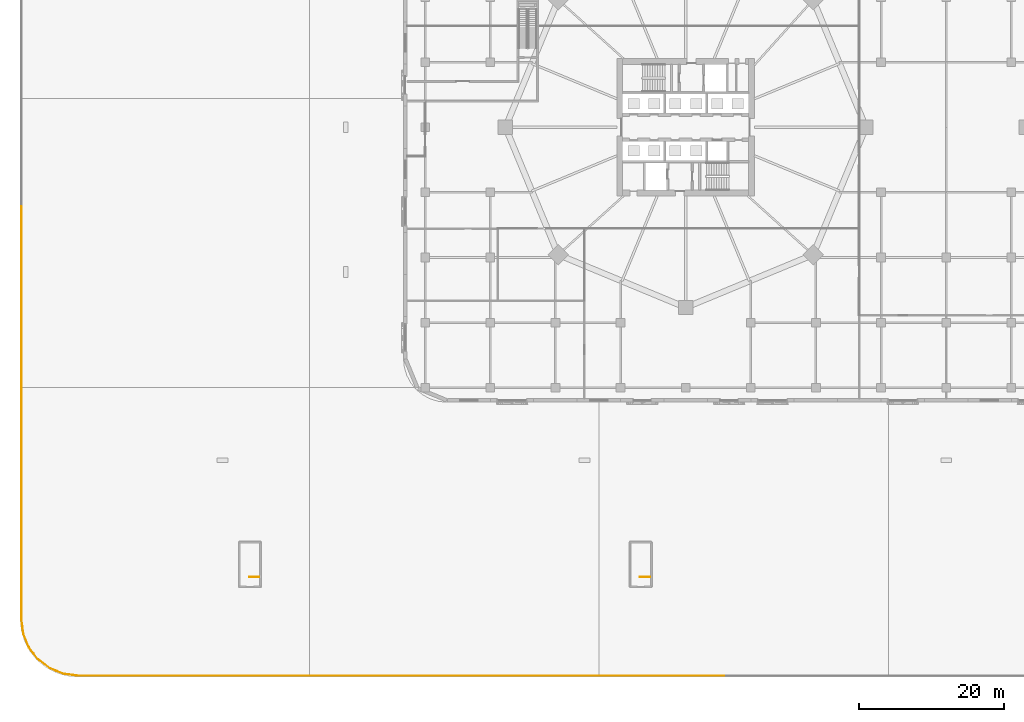
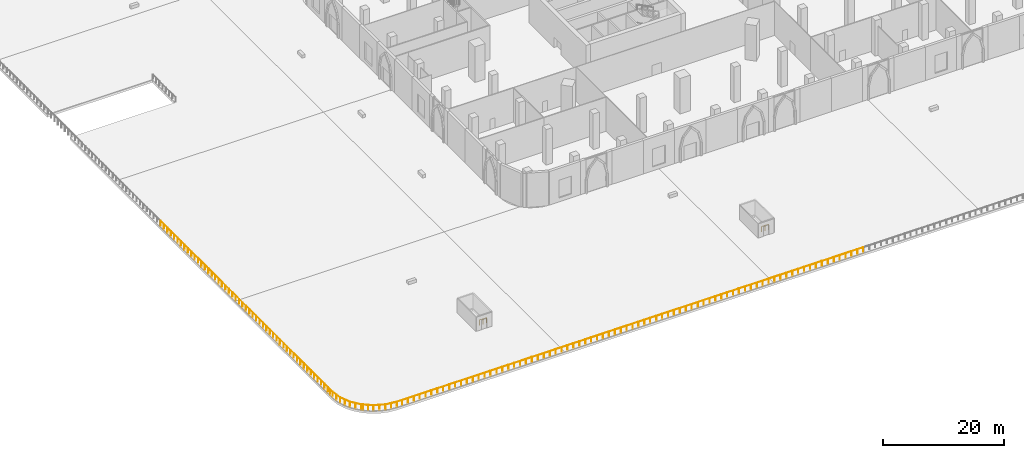
# One storey, part 36 of 48: 22 railings.
"""IFC4 building model written with IfcOpenShell, lengths in metres."""

from ifc_helpers import new_model, si_unit, direction, frame, origin, origin_2d, place, context, subcontext, project, spatial, circle, extrude, material, type_object, element, save


model = new_model("IFC4")

# Units and contexts
model_context = context("Model", 3, precision=1e-05, world=origin(), true_north=direction((0.0, 1.0)))
body_context = subcontext(model_context, "Body", "Model", "MODEL_VIEW")
ifc_project = project(units=[si_unit("LENGTHUNIT", "METRE"), si_unit("AREAUNIT", "SQUARE_METRE"), si_unit("VOLUMEUNIT", "CUBIC_METRE"), si_unit("PLANEANGLEUNIT", "RADIAN"), si_unit("MASSUNIT", "GRAM", prefix="KILO")], contexts=[model_context])

# Site, building, storey
site_placement = place(None, origin())
site = spatial("IfcSite", under=ifc_project, at=site_placement, CompositionType="ELEMENT")
building_placement = place(site_placement, origin())
building = spatial("IfcBuilding", under=site, at=building_placement, Name="Ogive Gate Towers", CompositionType="ELEMENT")
storey_placement = place(building_placement, origin())
storey = spatial("IfcBuildingStorey", under=building, at=storey_placement, Name="L00", CompositionType="ELEMENT", Elevation=0.0)

# Railings
ifc_material_1 = material(Name="Painted steel", Category="steel")
railing_type_1 = type_object("IfcRailingType", Name="Car park stair guard 1100", PredefinedType="GUARDRAIL", material=ifc_material_1)
for number, where, name in (
    (1, (-94.949951171875, -62.14990234375, 0.0), "L00 CS5 top well guard 1"),
    (2, (-40.949951171875, -62.14990234375, 0.0), "L00 CS6 top well guard 1"),
):
    element("IfcRailing", number, at=place(storey_placement, frame(where)), inside=storey, type_object=railing_type_1, Name=name, PredefinedType="GUARDRAIL", context=body_context, shape_type="SweptSolid", body=[
        extrude(circle(Radius=0.02392578125, at=origin_2d()), frame((0.0, 0.0, 1.076171875), z_axis=(-1.0, 0.0, 0.0), x_axis=(0.0, -1.0, 0.0)), (0.0, 0.0, 1.0), 1.35009765625),
        extrude(circle(Radius=0.02099609375, at=origin_2d()), origin(), (0.0, 0.0, 1.0), 1.052001953125),
        extrude(circle(Radius=0.02099609375, at=origin_2d()), frame((-0.675048828125, 0.0, 0.0)), (0.0, 0.0, 1.0), 1.052001953125),
        extrude(circle(Radius=0.02099609375, at=origin_2d()), frame((-1.35009765625, 0.0, 0.0)), (0.0, 0.0, 1.0), 1.052001953125),
    ])
ifc_material_2 = material(Name="Stainless steel", Category="steel")
railing_type_2 = type_object("IfcRailingType", Name="Guard 1100", PredefinedType="GUARDRAIL", material=ifc_material_2)
for number, where, name in (
    (3, (-127.800048828125, -10.970703125, 0.0), "Garden deck guard"),
    (4, (-127.800048828125, -18.900146484375, 0.0), "Garden deck guard"),
    (5, (-127.800048828125, -26.82958984375, 0.0), "Garden deck guard"),
    (6, (-127.800048828125, -34.759033203125, 0.0), "Garden deck guard"),
    (7, (-127.800048828125, -42.6884765625, 0.0), "Garden deck guard"),
    (8, (-127.800048828125, -50.617919921875, 0.0), "Garden deck guard"),
    (9, (-127.800048828125, -58.547119140625, 0.0), "Garden deck guard"),
):
    element("IfcRailing", number, at=place(storey_placement, frame(where)), inside=storey, type_object=railing_type_2, Name=name, PredefinedType="GUARDRAIL", context=body_context, shape_type="SweptSolid", body=[
        extrude(circle(Radius=0.02392578125, at=origin_2d()), frame((0.0, 0.0, 1.076171875), z_axis=(0.0, -1.0, 0.0), x_axis=(1.0, 0.0, 0.0)), (0.0, 0.0, 1.0), 7.87939453125),
        extrude(circle(Radius=0.02099609375, at=origin_2d()), origin(), (0.0, 0.0, 1.0), 1.052001953125),
        extrude(circle(Radius=0.02099609375, at=origin_2d()), frame((0.0, -1.125732421875, 0.0)), (0.0, 0.0, 1.0), 1.052001953125),
        extrude(circle(Radius=0.02099609375, at=origin_2d()), frame((0.0, -2.251220703125, 0.0)), (0.0, 0.0, 1.0), 1.052001953125),
        extrude(circle(Radius=0.02099609375, at=origin_2d()), frame((0.0, -3.376953125, 0.0)), (0.0, 0.0, 1.0), 1.052001953125),
        extrude(circle(Radius=0.02099609375, at=origin_2d()), frame((0.0, -4.50244140625, 0.0)), (0.0, 0.0, 1.0), 1.052001953125),
        extrude(circle(Radius=0.02099609375, at=origin_2d()), frame((0.0, -5.628173828125, 0.0)), (0.0, 0.0, 1.0), 1.052001953125),
        extrude(circle(Radius=0.02099609375, at=origin_2d()), frame((0.0, -6.753662109375, 0.0)), (0.0, 0.0, 1.0), 1.052001953125),
        extrude(circle(Radius=0.02099609375, at=origin_2d()), frame((0.0, -7.87939453125, 0.0)), (0.0, 0.0, 1.0), 1.052001953125),
    ])
railing_1_placement = place(storey_placement, frame((-127.800048828125, -66.4765625, 0.0)))
element("IfcRailing", 10, at=railing_1_placement, inside=storey, type_object=railing_type_2, Name="Garden deck guard", PredefinedType="GUARDRAIL", context=body_context, shape_type="SweptSolid", body=[
    extrude(circle(Radius=0.02392578125, at=origin_2d()), frame((0.0, 0.0, 1.076171875), z_axis=(0.0, -1.0, 0.0), x_axis=(1.0, 0.0, 0.0)), (0.0, 0.0, 1.0), 1.5234375),
    extrude(circle(Radius=0.02392578125, at=origin_2d()), frame((0.0, -1.5234375, 1.076171875), z_axis=(0.130569268018, -0.991439189385, 0.0), x_axis=(0.991439189385, 0.130569268018, 0.0)), (0.0, 0.0, 1.0), 2.0361328125),
    extrude(circle(Radius=0.02392578125, at=origin_2d()), frame((0.265869140625, -3.542236328125, 1.076171875), z_axis=(0.382733017832, -0.923858991979, 0.0), x_axis=(0.923858991979, 0.382733017832, 0.0)), (0.0, 0.0, 1.0), 2.0361328125),
    extrude(circle(Radius=0.02392578125, at=origin_2d()), frame((1.045166015625, -5.42333984375, 1.076171875), z_axis=(0.608731039936, -0.793376657722, 0.0), x_axis=(0.793376657722, 0.608731039936, 0.0)), (0.0, 0.0, 1.0), 2.0361328125),
    extrude(circle(Radius=0.02392578125, at=origin_2d()), frame((2.28466796875, -7.038818359375, 1.076171875), z_axis=(0.793320408892, -0.60880434364, 0.0), x_axis=(0.60880434364, 0.793320408892, 0.0)), (0.0, 0.0, 1.0), 0.247314453125),
    extrude(circle(Radius=0.02099609375, at=origin_2d()), origin(), (0.0, 0.0, 1.0), 1.052001953125),
    extrude(circle(Radius=0.02099609375, at=origin_2d()), frame((0.0, -0.76171875, 0.0)), (0.0, 0.0, 1.0), 1.052001953125),
    extrude(circle(Radius=0.02099609375, at=origin_2d()), frame((0.0, -1.5234375, 0.0)), (0.0, 0.0, 1.0), 1.052001953125),
    extrude(circle(Radius=0.02099609375, at=origin_2d()), frame((0.1328125, -2.53271484375, 0.0)), (0.0, 0.0, 1.0), 1.052001953125),
    extrude(circle(Radius=0.02099609375, at=origin_2d()), frame((0.265869140625, -3.542236328125, 0.0)), (0.0, 0.0, 1.0), 1.052001953125),
    extrude(circle(Radius=0.02099609375, at=origin_2d()), frame((0.655517578125, -4.48291015625, 0.0)), (0.0, 0.0, 1.0), 1.052001953125),
    extrude(circle(Radius=0.02099609375, at=origin_2d()), frame((1.045166015625, -5.42333984375, 0.0)), (0.0, 0.0, 1.0), 1.052001953125),
    extrude(circle(Radius=0.02099609375, at=origin_2d()), frame((1.6650390625, -6.23095703125, 0.0)), (0.0, 0.0, 1.0), 1.052001953125),
    extrude(circle(Radius=0.02099609375, at=origin_2d()), frame((2.28466796875, -7.038818359375, 0.0)), (0.0, 0.0, 1.0), 1.052001953125),
    extrude(circle(Radius=0.02099609375, at=origin_2d()), frame((2.48095703125, -7.189453125, 0.0)), (0.0, 0.0, 1.0), 1.052001953125),
])
railing_2_placement = place(storey_placement, frame((-125.279541015625, -73.6962890625, 0.0)))
element("IfcRailing", 11, at=railing_2_placement, inside=storey, type_object=railing_type_2, Name="Garden deck guard", PredefinedType="GUARDRAIL", context=body_context, shape_type="SweptSolid", body=[
    extrude(circle(Radius=0.02392578125, at=origin_2d()), frame((0.0, 0.0, 1.076171875), z_axis=(0.793364515024, -0.608746865536, 0.0), x_axis=(0.608746865536, 0.793364515024, 0.0)), (0.0, 0.0, 1.0), 1.739013671875),
    extrude(circle(Radius=0.02392578125, at=origin_2d()), frame((1.379638671875, -1.05859375, 1.076171875), z_axis=(0.923858991979, -0.382733017832, 0.0), x_axis=(0.382733017832, 0.923858991979, 0.0)), (0.0, 0.0, 1.0), 2.0361328125),
    extrude(circle(Radius=0.02392578125, at=origin_2d()), frame((3.2607421875, -1.837890625, 1.076171875), z_axis=(0.991439189385, -0.130569268018, 0.0), x_axis=(0.130569268018, 0.991439189385, 0.0)), (0.0, 0.0, 1.0), 2.0361328125),
    extrude(circle(Radius=0.02392578125, at=origin_2d()), frame((5.279541015625, -2.103759765625, 1.076171875), z_axis=(1.0, 0.0, 0.0), x_axis=(0.0, 1.0, 0.0)), (0.0, 0.0, 1.0), 2.068115234375),
    extrude(circle(Radius=0.02099609375, at=origin_2d()), origin(), (0.0, 0.0, 1.0), 1.052001953125),
    extrude(circle(Radius=0.02099609375, at=origin_2d()), frame((0.68994140625, -0.529296875, 0.0)), (0.0, 0.0, 1.0), 1.052001953125),
    extrude(circle(Radius=0.02099609375, at=origin_2d()), frame((1.379638671875, -1.05859375, 0.0)), (0.0, 0.0, 1.0), 1.052001953125),
    extrude(circle(Radius=0.02099609375, at=origin_2d()), frame((2.3203125, -1.4482421875, 0.0)), (0.0, 0.0, 1.0), 1.052001953125),
    extrude(circle(Radius=0.02099609375, at=origin_2d()), frame((3.2607421875, -1.837890625, 0.0)), (0.0, 0.0, 1.0), 1.052001953125),
    extrude(circle(Radius=0.02099609375, at=origin_2d()), frame((4.27001953125, -1.970703125, 0.0)), (0.0, 0.0, 1.0), 1.052001953125),
    extrude(circle(Radius=0.02099609375, at=origin_2d()), frame((5.279541015625, -2.103759765625, 0.0)), (0.0, 0.0, 1.0), 1.052001953125),
    extrude(circle(Radius=0.02099609375, at=origin_2d()), frame((6.3134765625, -2.103759765625, 0.0)), (0.0, 0.0, 1.0), 1.052001953125),
    extrude(circle(Radius=0.02099609375, at=origin_2d()), frame((7.34765625, -2.103759765625, 0.0)), (0.0, 0.0, 1.0), 1.052001953125),
])
for number, where, name in (
    (12, (-117.8818359375, -75.800048828125, 0.0), "Garden deck guard"),
    (13, (-109.952392578125, -75.800048828125, 0.0), "Garden deck guard"),
    (14, (-102.023193359375, -75.800048828125, 0.0), "Garden deck guard"),
    (15, (-94.09375, -75.800048828125, 0.0), "Garden deck guard"),
    (16, (-86.164306640625, -75.800048828125, 0.0), "Garden deck guard"),
    (17, (-78.23486328125, -75.800048828125, 0.0), "Garden deck guard"),
    (18, (-70.305419921875, -75.800048828125, 0.0), "Garden deck guard"),
):
    element("IfcRailing", number, at=place(storey_placement, frame(where)), inside=storey, type_object=railing_type_2, Name=name, PredefinedType="GUARDRAIL", context=body_context, shape_type="SweptSolid", body=[
        extrude(circle(Radius=0.02392578125, at=origin_2d()), frame((0.0, 0.0, 1.076171875), z_axis=(1.0, 0.0, 0.0), x_axis=(0.0, 1.0, 0.0)), (0.0, 0.0, 1.0), 7.87939453125),
        extrude(circle(Radius=0.02099609375, at=origin_2d()), origin(), (0.0, 0.0, 1.0), 1.052001953125),
        extrude(circle(Radius=0.02099609375, at=origin_2d()), frame((1.125732421875, 0.0, 0.0)), (0.0, 0.0, 1.0), 1.052001953125),
        extrude(circle(Radius=0.02099609375, at=origin_2d()), frame((2.251220703125, 0.0, 0.0)), (0.0, 0.0, 1.0), 1.052001953125),
        extrude(circle(Radius=0.02099609375, at=origin_2d()), frame((3.376953125, 0.0, 0.0)), (0.0, 0.0, 1.0), 1.052001953125),
        extrude(circle(Radius=0.02099609375, at=origin_2d()), frame((4.50244140625, 0.0, 0.0)), (0.0, 0.0, 1.0), 1.052001953125),
        extrude(circle(Radius=0.02099609375, at=origin_2d()), frame((5.628173828125, 0.0, 0.0)), (0.0, 0.0, 1.0), 1.052001953125),
        extrude(circle(Radius=0.02099609375, at=origin_2d()), frame((6.753662109375, 0.0, 0.0)), (0.0, 0.0, 1.0), 1.052001953125),
        extrude(circle(Radius=0.02099609375, at=origin_2d()), frame((7.87939453125, 0.0, 0.0)), (0.0, 0.0, 1.0), 1.052001953125),
    ])
railing_3_placement = place(storey_placement, frame((-62.376220703125, -75.800048828125, 0.0)))
element("IfcRailing", 19, at=railing_3_placement, inside=storey, type_object=railing_type_2, Name="Garden deck guard", PredefinedType="GUARDRAIL", context=body_context, shape_type="SweptSolid", body=[
    extrude(circle(Radius=0.02392578125, at=origin_2d()), frame((0.0, 0.0, 1.076171875), z_axis=(1.0, 0.0, 0.0), x_axis=(0.0, 1.0, 0.0)), (0.0, 0.0, 1.0), 7.879638671875),
    extrude(circle(Radius=0.02099609375, at=origin_2d()), origin(), (0.0, 0.0, 1.0), 1.052001953125),
    extrude(circle(Radius=0.02099609375, at=origin_2d()), frame((1.125732421875, 0.0, 0.0)), (0.0, 0.0, 1.0), 1.052001953125),
    extrude(circle(Radius=0.02099609375, at=origin_2d()), frame((2.251220703125, 0.0, 0.0)), (0.0, 0.0, 1.0), 1.052001953125),
    extrude(circle(Radius=0.02099609375, at=origin_2d()), frame((3.376953125, 0.0, 0.0)), (0.0, 0.0, 1.0), 1.052001953125),
    extrude(circle(Radius=0.02099609375, at=origin_2d()), frame((4.502685546875, 0.0, 0.0)), (0.0, 0.0, 1.0), 1.052001953125),
    extrude(circle(Radius=0.02099609375, at=origin_2d()), frame((5.62841796875, 0.0, 0.0)), (0.0, 0.0, 1.0), 1.052001953125),
    extrude(circle(Radius=0.02099609375, at=origin_2d()), frame((6.75390625, 0.0, 0.0)), (0.0, 0.0, 1.0), 1.052001953125),
    extrude(circle(Radius=0.02099609375, at=origin_2d()), frame((7.879638671875, 0.0, 0.0)), (0.0, 0.0, 1.0), 1.052001953125),
])
for number, where, name in (
    (20, (-54.44677734375, -75.800048828125, 0.0), "Garden deck guard"),
    (21, (-46.517333984375, -75.800048828125, 0.0), "Garden deck guard"),
    (22, (-38.587890625, -75.800048828125, 0.0), "Garden deck guard"),
):
    element("IfcRailing", number, at=place(storey_placement, frame(where)), inside=storey, type_object=railing_type_2, Name=name, PredefinedType="GUARDRAIL", context=body_context, shape_type="SweptSolid", body=[
        extrude(circle(Radius=0.02392578125, at=origin_2d()), frame((0.0, 0.0, 1.076171875), z_axis=(1.0, 0.0, 0.0), x_axis=(0.0, 1.0, 0.0)), (0.0, 0.0, 1.0), 7.87939453125),
        extrude(circle(Radius=0.02099609375, at=origin_2d()), origin(), (0.0, 0.0, 1.0), 1.052001953125),
        extrude(circle(Radius=0.02099609375, at=origin_2d()), frame((1.125732421875, 0.0, 0.0)), (0.0, 0.0, 1.0), 1.052001953125),
        extrude(circle(Radius=0.02099609375, at=origin_2d()), frame((2.251220703125, 0.0, 0.0)), (0.0, 0.0, 1.0), 1.052001953125),
        extrude(circle(Radius=0.02099609375, at=origin_2d()), frame((3.376953125, 0.0, 0.0)), (0.0, 0.0, 1.0), 1.052001953125),
        extrude(circle(Radius=0.02099609375, at=origin_2d()), frame((4.50244140625, 0.0, 0.0)), (0.0, 0.0, 1.0), 1.052001953125),
        extrude(circle(Radius=0.02099609375, at=origin_2d()), frame((5.628173828125, 0.0, 0.0)), (0.0, 0.0, 1.0), 1.052001953125),
        extrude(circle(Radius=0.02099609375, at=origin_2d()), frame((6.753662109375, 0.0, 0.0)), (0.0, 0.0, 1.0), 1.052001953125),
        extrude(circle(Radius=0.02099609375, at=origin_2d()), frame((7.87939453125, 0.0, 0.0)), (0.0, 0.0, 1.0), 1.052001953125),
    ])

save(model, "model.ifc")
